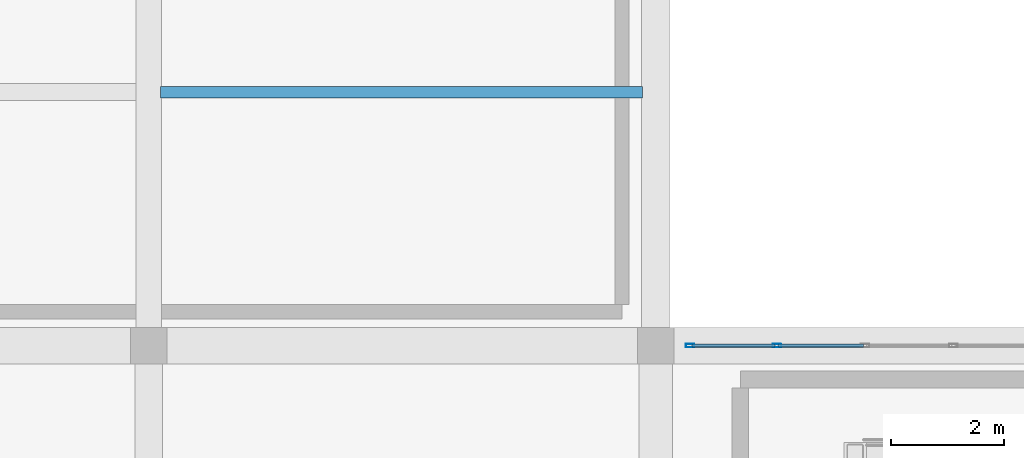
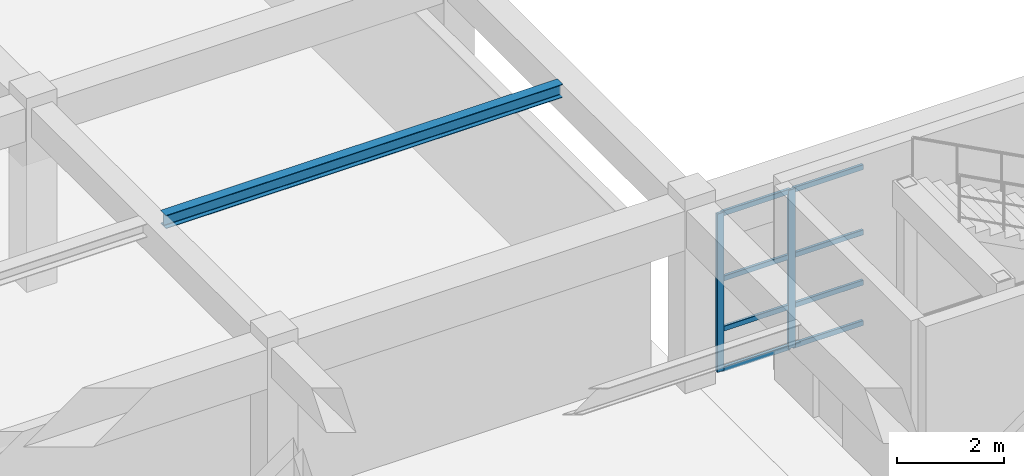
# One storey, part 43 of 133: 10 members, 1 beam, 1 element without a shape of its own.
"""IFC4 building model written with IfcOpenShell, lengths in metres."""

from ifc_helpers import new_model, si_unit, direction, frame, origin, origin_2d, place, context, subcontext, project, spatial, hollow_rectangle, i_section, extrude, material, material_profile, profile_set, type_object, element, aggregate, save


model = new_model("IFC4")

# Units and contexts
model_context = context("Model", 3, precision=1e-05, world=origin(), true_north=direction((0.0, 1.0)))
body_context = subcontext(model_context, "Body", "Model", "MODEL_VIEW")
ifc_project = project(units=[si_unit("LENGTHUNIT", "METRE"), si_unit("AREAUNIT", "SQUARE_METRE"), si_unit("VOLUMEUNIT", "CUBIC_METRE"), si_unit("PLANEANGLEUNIT", "RADIAN"), si_unit("MASSUNIT", "GRAM", prefix="KILO")], contexts=[model_context])

# Site, building, storey
site_placement = place(None, origin())
site = spatial("IfcSite", under=ifc_project, at=site_placement, CompositionType="ELEMENT")
building_placement = place(site_placement, origin())
building = spatial("IfcBuilding", under=site, at=building_placement, Name="Miravela Opera House", CompositionType="ELEMENT")
storey_placement = place(building_placement, frame((0.0, 0.0, 5.10009765625)))
storey = spatial("IfcBuildingStorey", under=building, at=storey_placement, Name="L01", CompositionType="ELEMENT", Elevation=5.10009765625)

# Curtain wall, members
ifc_material_1 = material(Name="Anodised architectural bronze aluminium 6063-T6", Category="aluminium")
curtain_wall_type = type_object("IfcCurtainWallType", Name="ARC-CW-06", PredefinedType="NOTDEFINED", material=ifc_material_1)
curtain_wall_placement = place(storey_placement, origin())
curtain_wall = element("IfcCurtainWall", 1, at=curtain_wall_placement, inside=storey, type_object=curtain_wall_type, Name="Courtyard Arcade Curtain Wall CW-L01-171", PredefinedType="NOTDEFINED")
ifc_material_profile_1 = material_profile(ifc_material_1, hollow_rectangle(XDim=0.06005859375, YDim=0.14990234375, WallThickness=0.00390625, InnerFilletRadius=0.001953125, OuterFilletRadius=0.00390625, at=origin_2d()), Name="CWM-60X150")
ifc_profile_set_1 = profile_set([ifc_material_profile_1])
member_type_1 = type_object("IfcMemberType", Name="ARC-CWM-150", PredefinedType="MULLION", material=ifc_profile_set_1)
member_1_placement = place(storey_placement, frame((117.610107421875, 9.0, 0.0), z_axis=(0.0, 0.0, 1.0), x_axis=(0.0, 1.0, 0.0)))
member_1 = element("IfcMember", 2, at=member_1_placement, type_object=member_type_1, Name="CW-06 mullion 1", PredefinedType="MULLION", context=body_context, shape_type="SweptSolid", body=[
    extrude(hollow_rectangle(XDim=0.06005859375, YDim=0.14990234375, WallThickness=0.00390625, InnerFilletRadius=0.001953125, OuterFilletRadius=0.00390625, at=origin_2d()), origin(), (0.0, 0.0, 1.0), 3.60986328125),
])
member_2_placement = place(storey_placement, frame((119.14794921875, 9.0, 0.0), z_axis=(0.0, 0.0, 1.0), x_axis=(0.0, 1.0, 0.0)))
member_2 = element("IfcMember", 3, at=member_2_placement, type_object=member_type_1, Name="CW-06 mullion 2", PredefinedType="MULLION", context=body_context, shape_type="SweptSolid", body=[
    extrude(hollow_rectangle(XDim=0.06005859375, YDim=0.14990234375, WallThickness=0.00390625, InnerFilletRadius=0.001953125, OuterFilletRadius=0.00390625, at=origin_2d()), origin(), (0.0, 0.0, 1.0), 3.60986328125),
])
ifc_material_profile_2 = material_profile(ifc_material_1, hollow_rectangle(XDim=0.06005859375, YDim=0.114990234375, WallThickness=0.00390625, InnerFilletRadius=0.001953125, OuterFilletRadius=0.00390625, at=origin_2d()), Name="CWT-60X115")
ifc_profile_set_2 = profile_set([ifc_material_profile_2])
member_type_2 = type_object("IfcMemberType", Name="ARC-CWT-115", PredefinedType="USERDEFINED", material=ifc_profile_set_2)
member_3_placement = place(storey_placement, frame((117.639892578125, 9.0, 0.02978515625), z_axis=(1.0, 0.0, 0.0), x_axis=(0.0, 1.0, 0.0)))
member_3 = element("IfcMember", 4, at=member_3_placement, type_object=member_type_2, Name="CW-06 transom 1.1", ObjectType="TRANSOM", PredefinedType="USERDEFINED", context=body_context, shape_type="SweptSolid", body=[
    extrude(hollow_rectangle(XDim=0.06005859375, YDim=0.114990234375, WallThickness=0.00390625, InnerFilletRadius=0.001953125, OuterFilletRadius=0.00390625, at=origin_2d()), origin(), (0.0, 0.0, 1.0), 1.47802734375),
])
member_4_placement = place(storey_placement, frame((117.639892578125, 9.0, 0.949951171875), z_axis=(1.0, 0.0, 0.0), x_axis=(0.0, 1.0, 0.0)))
member_4 = element("IfcMember", 5, at=member_4_placement, type_object=member_type_2, Name="CW-06 transom 1.2", ObjectType="TRANSOM", PredefinedType="USERDEFINED", context=body_context, shape_type="SweptSolid", body=[
    extrude(hollow_rectangle(XDim=0.06005859375, YDim=0.114990234375, WallThickness=0.00390625, InnerFilletRadius=0.001953125, OuterFilletRadius=0.00390625, at=origin_2d()), origin(), (0.0, 0.0, 1.0), 1.47802734375),
])
member_5_placement = place(storey_placement, frame((117.639892578125, 9.0, 2.09375), z_axis=(1.0, 0.0, 0.0), x_axis=(0.0, 1.0, 0.0)))
member_5 = element("IfcMember", 6, at=member_5_placement, type_object=member_type_2, Name="CW-06 transom 1.3", ObjectType="TRANSOM", PredefinedType="USERDEFINED", context=body_context, shape_type="SweptSolid", body=[
    extrude(hollow_rectangle(XDim=0.06005859375, YDim=0.114990234375, WallThickness=0.00390625, InnerFilletRadius=0.001953125, OuterFilletRadius=0.00390625, at=origin_2d()), origin(), (0.0, 0.0, 1.0), 1.47802734375),
])
member_6_placement = place(storey_placement, frame((117.639892578125, 9.0, 3.579833984375), z_axis=(1.0, 0.0, 0.0), x_axis=(0.0, 1.0, 0.0)))
member_6 = element("IfcMember", 7, at=member_6_placement, type_object=member_type_2, Name="CW-06 transom 1.4", ObjectType="TRANSOM", PredefinedType="USERDEFINED", context=body_context, shape_type="SweptSolid", body=[
    extrude(hollow_rectangle(XDim=0.06005859375, YDim=0.114990234375, WallThickness=0.00390625, InnerFilletRadius=0.001953125, OuterFilletRadius=0.00390625, at=origin_2d()), origin(), (0.0, 0.0, 1.0), 1.47802734375),
])
member_7_placement = place(storey_placement, frame((119.177978515625, 9.0, 0.02978515625), z_axis=(1.0, 0.0, 0.0), x_axis=(0.0, 1.0, 0.0)))
member_7 = element("IfcMember", 8, at=member_7_placement, type_object=member_type_2, Name="CW-06 transom 2.1", ObjectType="TRANSOM", PredefinedType="USERDEFINED", context=body_context, shape_type="SweptSolid", body=[
    extrude(hollow_rectangle(XDim=0.06005859375, YDim=0.114990234375, WallThickness=0.00390625, InnerFilletRadius=0.001953125, OuterFilletRadius=0.00390625, at=origin_2d()), origin(), (0.0, 0.0, 1.0), 1.508056640625),
])
member_8_placement = place(storey_placement, frame((119.177978515625, 9.0, 0.949951171875), z_axis=(1.0, 0.0, 0.0), x_axis=(0.0, 1.0, 0.0)))
member_8 = element("IfcMember", 9, at=member_8_placement, type_object=member_type_2, Name="CW-06 transom 2.2", ObjectType="TRANSOM", PredefinedType="USERDEFINED", context=body_context, shape_type="SweptSolid", body=[
    extrude(hollow_rectangle(XDim=0.06005859375, YDim=0.114990234375, WallThickness=0.00390625, InnerFilletRadius=0.001953125, OuterFilletRadius=0.00390625, at=origin_2d()), origin(), (0.0, 0.0, 1.0), 1.508056640625),
])
member_9_placement = place(storey_placement, frame((119.177978515625, 9.0, 2.09375), z_axis=(1.0, 0.0, 0.0), x_axis=(0.0, 1.0, 0.0)))
member_9 = element("IfcMember", 10, at=member_9_placement, type_object=member_type_2, Name="CW-06 transom 2.3", ObjectType="TRANSOM", PredefinedType="USERDEFINED", context=body_context, shape_type="SweptSolid", body=[
    extrude(hollow_rectangle(XDim=0.06005859375, YDim=0.114990234375, WallThickness=0.00390625, InnerFilletRadius=0.001953125, OuterFilletRadius=0.00390625, at=origin_2d()), origin(), (0.0, 0.0, 1.0), 1.508056640625),
])
member_10_placement = place(storey_placement, frame((119.177978515625, 9.0, 3.579833984375), z_axis=(1.0, 0.0, 0.0), x_axis=(0.0, 1.0, 0.0)))
member_10 = element("IfcMember", 11, at=member_10_placement, type_object=member_type_2, Name="CW-06 transom 2.4", ObjectType="TRANSOM", PredefinedType="USERDEFINED", context=body_context, shape_type="SweptSolid", body=[
    extrude(hollow_rectangle(XDim=0.06005859375, YDim=0.114990234375, WallThickness=0.00390625, InnerFilletRadius=0.001953125, OuterFilletRadius=0.00390625, at=origin_2d()), origin(), (0.0, 0.0, 1.0), 1.508056640625),
])
aggregate(curtain_wall, [member_1, member_2, member_3, member_4, member_5, member_6, member_7, member_8, member_9, member_10])

# Beam
ifc_material_2 = material(Name="Structural steel ASTM A992 Gr. 50", Category="steel")
ifc_material_profile_3 = material_profile(ifc_material_2, i_section(OverallWidth=0.202880859375, OverallDepth=0.302978515625, WebThickness=0.007568359375, FlangeThickness=0.01318359375, FilletRadius=0.012939453125, at=origin_2d()), Name="W310X60")
ifc_profile_set_3 = profile_set([ifc_material_profile_3])
beam_type = type_object("IfcBeamType", Name="STR-BM-W310X60", PredefinedType="JOIST", material=ifc_profile_set_3)
beam_placement = place(storey_placement, frame((108.2099609375, 13.5, 4.00830078125), z_axis=(1.0, 0.0, 0.0), x_axis=(0.0, 1.0, 0.0)))
element("IfcBeam", 12, at=beam_placement, inside=storey, type_object=beam_type, Name="Secondary Floor Joist L01 13-14/B-C", PredefinedType="JOIST", context=body_context, shape_type="SweptSolid", body=[
    extrude(i_section(OverallWidth=0.202880859375, OverallDepth=0.302978515625, WebThickness=0.007568359375, FlangeThickness=0.01318359375, FilletRadius=0.012939453125, at=origin_2d()), origin(), (0.0, 0.0, 1.0), 8.554931640625),
])

save(model, "model.ifc")
